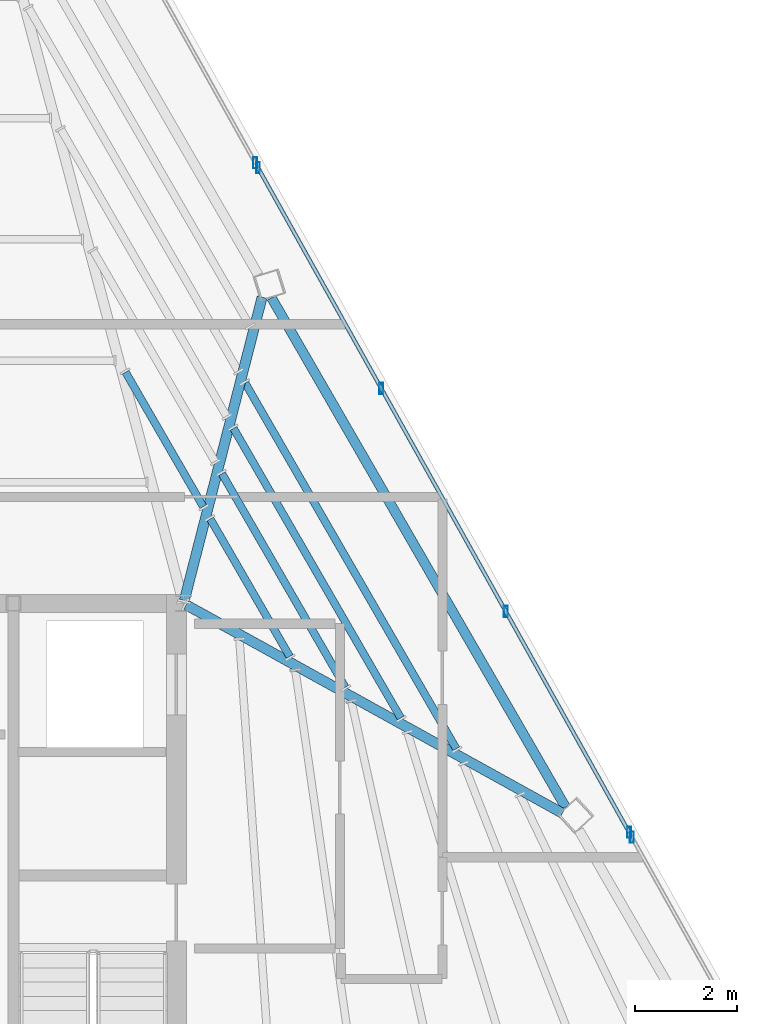
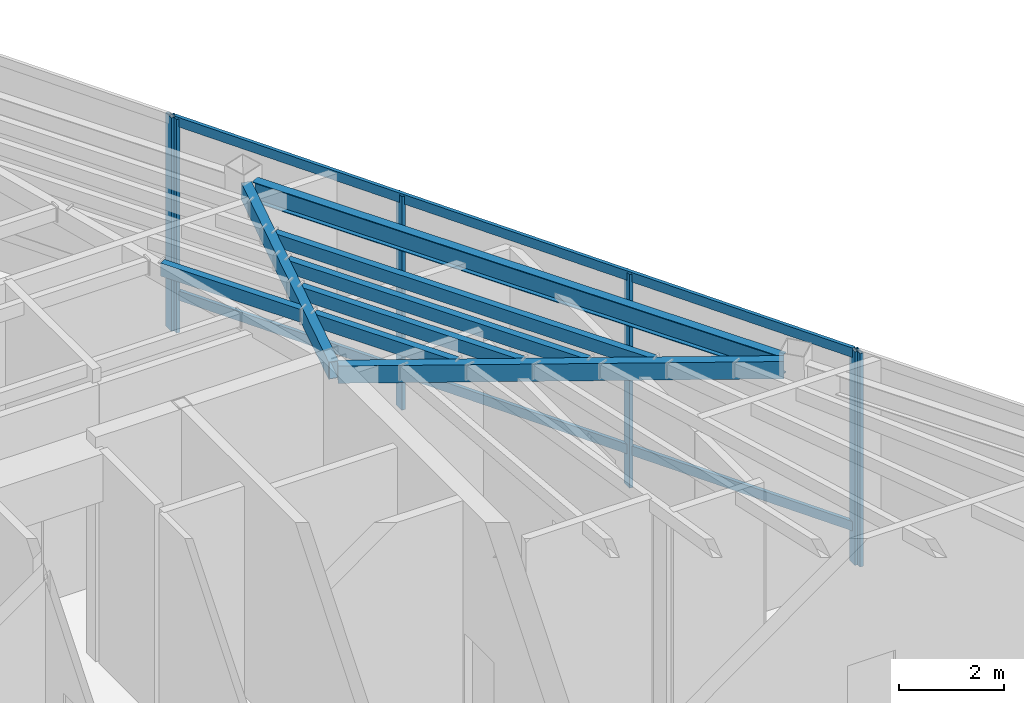
# One storey, part 15 of 25: 8 beams, 8 members, 3 elements without a shape of their own.
"""IFC4 building model written with IfcOpenShell, lengths in metres."""

from ifc_helpers import new_model, si_unit, direction, frame, origin, origin_2d, place, context, subcontext, project, spatial, hollow_rectangle, i_section, extrude, source, transform, mapped, material, material_profile, profile_set, type_object, type_shapes, element, aggregate, save


model = new_model("IFC4")

# Units and contexts
model_context = context("Model", 3, precision=1e-05, world=origin(), true_north=direction((0.0, 1.0)))
body_context = subcontext(model_context, "Body", "Model", "MODEL_VIEW")
ifc_project = project(units=[si_unit("LENGTHUNIT", "METRE"), si_unit("AREAUNIT", "SQUARE_METRE"), si_unit("VOLUMEUNIT", "CUBIC_METRE"), si_unit("PLANEANGLEUNIT", "RADIAN"), si_unit("MASSUNIT", "GRAM", prefix="KILO")], contexts=[model_context])

# Site, building, storey
site_placement = place(None, origin())
site = spatial("IfcSite", under=ifc_project, at=site_placement, CompositionType="ELEMENT")
building_placement = place(site_placement, origin())
building = spatial("IfcBuilding", under=site, at=building_placement, Name="Caelisora Broadcast Tower", CompositionType="ELEMENT")
storey_placement = place(building_placement, frame((0.0, 0.0, 284.60009765625)))
storey = spatial("IfcBuildingStorey", under=building, at=storey_placement, Name="L75", CompositionType="ELEMENT", Elevation=284.60009765625)

# Beams
ifc_material_1 = material(Name="Steel Grade 350 (AS/NZS 3679.1)", Category="steel")
ifc_material_profile_1 = material_profile(ifc_material_1, i_section(OverallWidth=0.19091796875, OverallDepth=0.46044921875, WebThickness=0.010009765625, FlangeThickness=0.01611328125, at=origin_2d()), Name="Steel Grade 350 (AS/NZS 3679.1)")
ifc_profile_set_1 = profile_set([ifc_material_profile_1], Name="Steel Grade 350 (AS/NZS 3679.1)")
beam_type_1 = type_object("IfcBeamType", Name="PG06", PredefinedType="BEAM", material=ifc_profile_set_1)
shared_shape_1 = source(origin(), body_context, "Body", "SweptSolid", [
    extrude(i_section(OverallWidth=0.19091796875, OverallDepth=0.46044921875, WebThickness=0.010009765625, FlangeThickness=0.01611328125, at=origin_2d()), origin(), (0.0, 0.0, 1.0), 11.589111328125),
])
type_shapes(beam_type_1, [shared_shape_1])
beam_1_placement = place(storey_placement, frame((53.02734375, 25.985107421875, 4.7197265625), z_axis=(-0.500011182806, 0.866018947292, 0.0), x_axis=(-0.866018947292, -0.500011182806, 0.0)))
element("IfcBeam", 1, at=beam_1_placement, inside=storey, type_object=beam_type_1, Name="L75 beam PG06", PredefinedType="BEAM", context=body_context, shape_type="MappedRepresentation", body=[
    mapped(shared_shape_1, transform((0.0, 0.0, 0.0), scale=1.0)),
])
ifc_material_2 = material(Name="Steel Grade 350 (AS/NZS 1163 C350L0)", Category="steel")
ifc_material_profile_2 = material_profile(ifc_material_2, hollow_rectangle(XDim=0.199951171875, YDim=0.39990234375, WallThickness=0.012451171875, at=origin_2d()), Name="Steel Grade 350 (AS/NZS 1163 C350L0)")
ifc_profile_set_2 = profile_set([ifc_material_profile_2], Name="Steel Grade 350 (AS/NZS 1163 C350L0)")
beam_type_2 = type_object("IfcBeamType", Name="PG07", PredefinedType="BEAM", material=ifc_profile_set_2)
shared_shape_2 = source(origin(), body_context, "Body", "SweptSolid", [
    extrude(hollow_rectangle(XDim=0.199951171875, YDim=0.39990234375, WallThickness=0.012451171875, at=origin_2d()), origin(), (0.0, 0.0, 1.0), 6.169189453125),
])
beam_2_placement = place(storey_placement, frame((45.514892578125, 30.05810546875, 4.75), z_axis=(0.248527688164, 0.968624792278, 0.0), x_axis=(-0.968624792278, 0.248527688164, 0.0)))
element("IfcBeam", 2, at=beam_2_placement, inside=storey, type_object=beam_type_2, Name="L75 beam PG07", PredefinedType="BEAM", context=body_context, shape_type="MappedRepresentation", body=[
    mapped(shared_shape_2, transform((0.0, 0.0, 0.0), scale=1.0)),
])
shared_shape_3 = source(origin(), body_context, "Body", "SweptSolid", [
    extrude(hollow_rectangle(XDim=0.199951171875, YDim=0.39990234375, WallThickness=0.012451171875, at=origin_2d()), origin(), (0.0, 0.0, 1.0), 8.472900390625),
])
type_shapes(beam_type_2, [shared_shape_2, shared_shape_3])
beam_3_placement = place(storey_placement, frame((45.552490234375, 29.970947265625, 4.75), z_axis=(0.874831936289, -0.484426550933, 0.0), x_axis=(0.484426550933, 0.874831936289, 0.0)))
element("IfcBeam", 3, at=beam_3_placement, inside=storey, type_object=beam_type_2, Name="L75 beam PG07", PredefinedType="BEAM", context=body_context, shape_type="MappedRepresentation", body=[
    mapped(shared_shape_3, transform((0.0, 0.0, 0.0), scale=1.0)),
])
ifc_material_profile_3 = material_profile(ifc_material_2, hollow_rectangle(XDim=0.14990234375, YDim=0.300048828125, WallThickness=0.010009765625, at=origin_2d()), Name="Steel Grade 350 (AS/NZS 1163 C350L0)")
ifc_profile_set_3 = profile_set([ifc_material_profile_3], Name="Steel Grade 350 (AS/NZS 1163 C350L0)")
beam_type_3 = type_object("IfcBeamType", Name="SB05", PredefinedType="JOIST", material=ifc_profile_set_3)
shared_shape_4 = source(origin(), body_context, "Body", "SweptSolid", [
    extrude(hollow_rectangle(XDim=0.14990234375, YDim=0.300048828125, WallThickness=0.010009765625, at=origin_2d()), origin(), (0.0, 0.0, 1.0), 3.0595703125),
])
beam_4_placement = place(storey_placement, frame((45.887939453125, 31.906005859375, 4.7998046875), z_axis=(-0.500001049025, 0.866024798128, 0.0), x_axis=(-0.866024798128, -0.500001049025, 0.0)))
element("IfcBeam", 4, at=beam_4_placement, inside=storey, type_object=beam_type_3, Name="L75 beam SB05", PredefinedType="JOIST", context=body_context, shape_type="MappedRepresentation", body=[
    mapped(shared_shape_4, transform((0.0, 0.0, 0.0), scale=1.0)),
])
shared_shape_5 = source(origin(), body_context, "Body", "SweptSolid", [
    extrude(hollow_rectangle(XDim=0.14990234375, YDim=0.300048828125, WallThickness=0.010009765625, at=origin_2d()), origin(), (0.0, 0.0, 1.0), 3.128662109375),
])
beam_5_placement = place(storey_placement, frame((47.59228515625, 28.9541015625, 4.7998046875), z_axis=(-0.50003316619, 0.866006254429, 0.0), x_axis=(-0.866006254429, -0.50003316619, 0.0)))
element("IfcBeam", 5, at=beam_5_placement, inside=storey, type_object=beam_type_3, Name="L75 beam SB05", PredefinedType="JOIST", context=body_context, shape_type="MappedRepresentation", body=[
    mapped(shared_shape_5, transform((0.0, 0.0, 0.0), scale=1.0)),
])
shared_shape_6 = source(origin(), body_context, "Body", "SweptSolid", [
    extrude(hollow_rectangle(XDim=0.14990234375, YDim=0.300048828125, WallThickness=0.010009765625, at=origin_2d()), origin(), (0.0, 0.0, 1.0), 4.858642578125),
])
beam_6_placement = place(storey_placement, frame((48.686279296875, 28.34814453125, 4.7998046875), z_axis=(-0.500013872438, 0.86601739438, 0.0), x_axis=(-0.86601739438, -0.500013872438, 0.0)))
element("IfcBeam", 6, at=beam_6_placement, inside=storey, type_object=beam_type_3, Name="L75 beam SB05", PredefinedType="JOIST", context=body_context, shape_type="MappedRepresentation", body=[
    mapped(shared_shape_6, transform((0.0, 0.0, 0.0), scale=1.0)),
])
shared_shape_7 = source(origin(), body_context, "Body", "SweptSolid", [
    extrude(hollow_rectangle(XDim=0.14990234375, YDim=0.300048828125, WallThickness=0.010009765625, at=origin_2d()), origin(), (0.0, 0.0, 1.0), 6.58837890625),
])
beam_7_placement = place(storey_placement, frame((49.780029296875, 27.742431640625, 4.7998046875), z_axis=(-0.499992964734, 0.866029465559, 0.0), x_axis=(-0.866029465559, -0.499992964734, 0.0)))
element("IfcBeam", 7, at=beam_7_placement, inside=storey, type_object=beam_type_3, Name="L75 beam SB05", PredefinedType="JOIST", context=body_context, shape_type="MappedRepresentation", body=[
    mapped(shared_shape_7, transform((0.0, 0.0, 0.0), scale=1.0)),
])
shared_shape_8 = source(origin(), body_context, "Body", "SweptSolid", [
    extrude(hollow_rectangle(XDim=0.14990234375, YDim=0.300048828125, WallThickness=0.010009765625, at=origin_2d()), origin(), (0.0, 0.0, 1.0), 8.318603515625),
])
type_shapes(beam_type_3, [shared_shape_4, shared_shape_5, shared_shape_6, shared_shape_7, shared_shape_8])
beam_8_placement = place(storey_placement, frame((50.8740234375, 27.13671875, 4.7998046875), z_axis=(-0.499990056298, 0.866031144707, 0.0), x_axis=(-0.866031144707, -0.499990056298, 0.0)))
element("IfcBeam", 8, at=beam_8_placement, inside=storey, type_object=beam_type_3, Name="L75 beam SB05", PredefinedType="JOIST", context=body_context, shape_type="MappedRepresentation", body=[
    mapped(shared_shape_8, transform((0.0, 0.0, 0.0), scale=1.0)),
])

# Curtain wall, member
ifc_material_3 = material(Name="Unitised Aluminium and Low-E Glass Curtain Wall", Category="glass")
curtain_wall_type = type_object("IfcCurtainWallType", Name="CW-TMD", PredefinedType="NOTDEFINED", material=ifc_material_3)
curtain_wall_1_placement = place(storey_placement, origin())
curtain_wall_1 = element("IfcCurtainWall", 9, at=curtain_wall_1_placement, inside=storey, type_object=curtain_wall_type, Name="L75 curtain wall CW-TMD", PredefinedType="NOTDEFINED")
ifc_material_4 = material(Name="Aluminium 6063-T6 Anodised Terracotta Bronze", Category="aluminium")
ifc_material_profile_4 = material_profile(ifc_material_4, hollow_rectangle(XDim=0.074951171875, YDim=0.219970703125, WallThickness=0.00390625, at=origin_2d()), Name="Aluminium 6063-T6 Anodised Terracotta Bronze")
ifc_profile_set_4 = profile_set([ifc_material_profile_4], Name="Aluminium 6063-T6 Anodised Terracotta Bronze")
member_type_1 = type_object("IfcMemberType", Name="CWM-01", PredefinedType="MULLION", material=ifc_profile_set_4)
shared_shape_9 = source(origin(), body_context, "Body", "SweptSolid", [
    extrude(hollow_rectangle(XDim=0.074951171875, YDim=0.219970703125, WallThickness=0.00390625, at=origin_2d()), origin(), (0.0, 0.0, 1.0), 4.949951171875),
])
type_shapes(member_type_1, [shared_shape_9])
member_1_placement = place(storey_placement, frame((46.911865234375, 38.6826171875, 0.0), z_axis=(0.0, 0.0, 1.0), x_axis=(1.0, 0.0, 0.0)))
member_1 = element("IfcMember", 10, at=member_1_placement, type_object=member_type_1, Name="L75-CW-B01 mullion #3", PredefinedType="MULLION", context=body_context, shape_type="MappedRepresentation", body=[
    mapped(shared_shape_9, transform((0.0, 0.0, 0.0), scale=1.0)),
])
aggregate(curtain_wall_1, [member_1])

# Curtain wall, members
curtain_wall_2_placement = place(storey_placement, origin())
curtain_wall_2 = element("IfcCurtainWall", 11, at=curtain_wall_2_placement, inside=storey, type_object=curtain_wall_type, Name="L75 curtain wall CW-TMD", PredefinedType="NOTDEFINED")
member_2_placement = place(storey_placement, frame((46.965576171875, 38.586669921875, 0.0), z_axis=(0.0, 0.0, 1.0), x_axis=(1.0, 0.0, 0.0)))
member_2 = element("IfcMember", 12, at=member_2_placement, type_object=member_type_1, Name="L75-CW-B02 mullion #0", PredefinedType="MULLION", context=body_context, shape_type="MappedRepresentation", body=[
    mapped(shared_shape_9, transform((0.0, 0.0, 0.0), scale=1.0)),
])
member_3_placement = place(storey_placement, frame((49.3955078125, 34.235107421875, 0.0), z_axis=(0.0, 0.0, 1.0), x_axis=(1.0, 0.0, 0.0)))
member_3 = element("IfcMember", 13, at=member_3_placement, type_object=member_type_1, Name="L75-CW-B02 mullion #1", PredefinedType="MULLION", context=body_context, shape_type="MappedRepresentation", body=[
    mapped(shared_shape_9, transform((0.0, 0.0, 0.0), scale=1.0)),
])
member_4_placement = place(storey_placement, frame((51.849609375, 29.83984375, 0.0), z_axis=(0.0, 0.0, 1.0), x_axis=(1.0, 0.0, 0.0)))
member_4 = element("IfcMember", 14, at=member_4_placement, type_object=member_type_1, Name="L75-CW-B02 mullion #2", PredefinedType="MULLION", context=body_context, shape_type="MappedRepresentation", body=[
    mapped(shared_shape_9, transform((0.0, 0.0, 0.0), scale=1.0)),
])
member_5_placement = place(storey_placement, frame((54.279541015625, 25.48828125, 0.0), z_axis=(0.0, 0.0, 1.0), x_axis=(1.0, 0.0, 0.0)))
member_5 = element("IfcMember", 15, at=member_5_placement, type_object=member_type_1, Name="L75-CW-B02 mullion #3", PredefinedType="MULLION", context=body_context, shape_type="MappedRepresentation", body=[
    mapped(shared_shape_9, transform((0.0, 0.0, 0.0), scale=1.0)),
])

# Curtain wall, member
curtain_wall_3_placement = place(storey_placement, origin())
curtain_wall_3 = element("IfcCurtainWall", 16, at=curtain_wall_3_placement, inside=storey, type_object=curtain_wall_type, Name="L75 curtain wall CW-TMD", PredefinedType="NOTDEFINED")
member_6_placement = place(storey_placement, frame((54.3330078125, 25.392333984375, 0.0), z_axis=(0.0, 0.0, 1.0), x_axis=(1.0, 0.0, 0.0)))
member_6 = element("IfcMember", 17, at=member_6_placement, type_object=member_type_1, Name="L75-CW-B03 mullion #0", PredefinedType="MULLION", context=body_context, shape_type="MappedRepresentation", body=[
    mapped(shared_shape_9, transform((0.0, 0.0, 0.0), scale=1.0)),
])
aggregate(curtain_wall_3, [member_6])

# Member
ifc_material_profile_5 = material_profile(ifc_material_4, hollow_rectangle(XDim=0.074951171875, YDim=0.219970703125, WallThickness=0.00390625, at=origin_2d()), Name="Aluminium 6063-T6 Anodised Terracotta Bronze")
ifc_profile_set_5 = profile_set([ifc_material_profile_5], Name="Aluminium 6063-T6 Anodised Terracotta Bronze")
member_type_2 = type_object("IfcMemberType", Name="CWT-04", PredefinedType="USERDEFINED", material=ifc_profile_set_5)
shared_shape_10 = source(origin(), body_context, "Body", "SweptSolid", [
    extrude(hollow_rectangle(XDim=0.074951171875, YDim=0.219970703125, WallThickness=0.00390625, at=origin_2d()), origin(), (0.0, 0.0, 1.0), 15.001953125),
])
type_shapes(member_type_2, [shared_shape_10])
member_7_placement = place(storey_placement, frame((46.965576171875, 38.586669921875, 0.849853515625), z_axis=(0.487530633482, -0.873105882134, 0.0), x_axis=(0.873105882134, 0.487530633482, 0.0)))
member_7 = element("IfcMember", 18, at=member_7_placement, type_object=member_type_2, Name="L75-CW-B02 transom #1", ObjectType="TRANSOM", PredefinedType="USERDEFINED", context=body_context, shape_type="MappedRepresentation", body=[
    mapped(shared_shape_10, transform((0.0, 0.0, 0.0), scale=1.0)),
])

member_8_placement = place(storey_placement, frame((46.965576171875, 38.586669921875, 4.869873046875), z_axis=(0.487530633482, -0.873105882134, 0.0), x_axis=(0.873105882134, 0.487530633482, 0.0)))
member_8 = element("IfcMember", 19, at=member_8_placement, type_object=member_type_2, Name="L75-CW-B02 transom #2", ObjectType="TRANSOM", PredefinedType="USERDEFINED", context=body_context, shape_type="MappedRepresentation", body=[
    mapped(shared_shape_10, transform((0.0, 0.0, 0.0), scale=1.0)),
])

aggregate(curtain_wall_2, [member_2, member_3, member_4, member_5, member_7, member_8])

save(model, "model.ifc")
